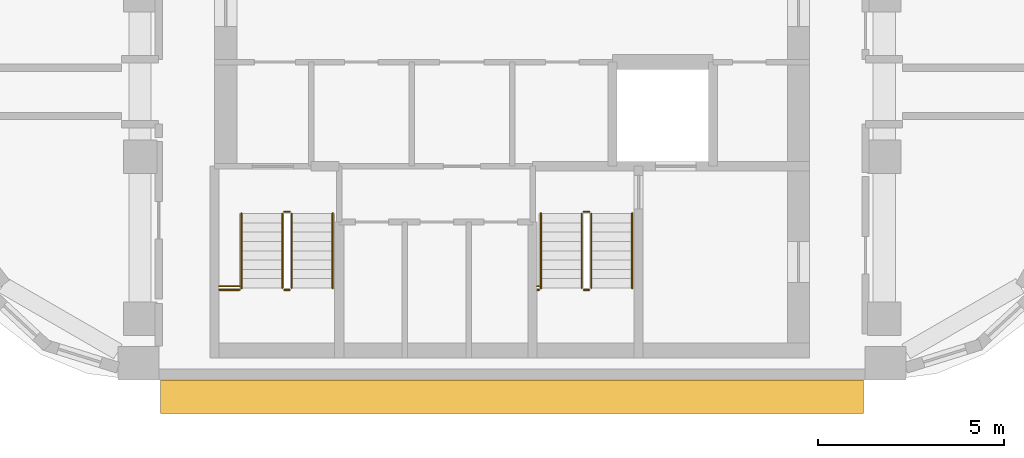
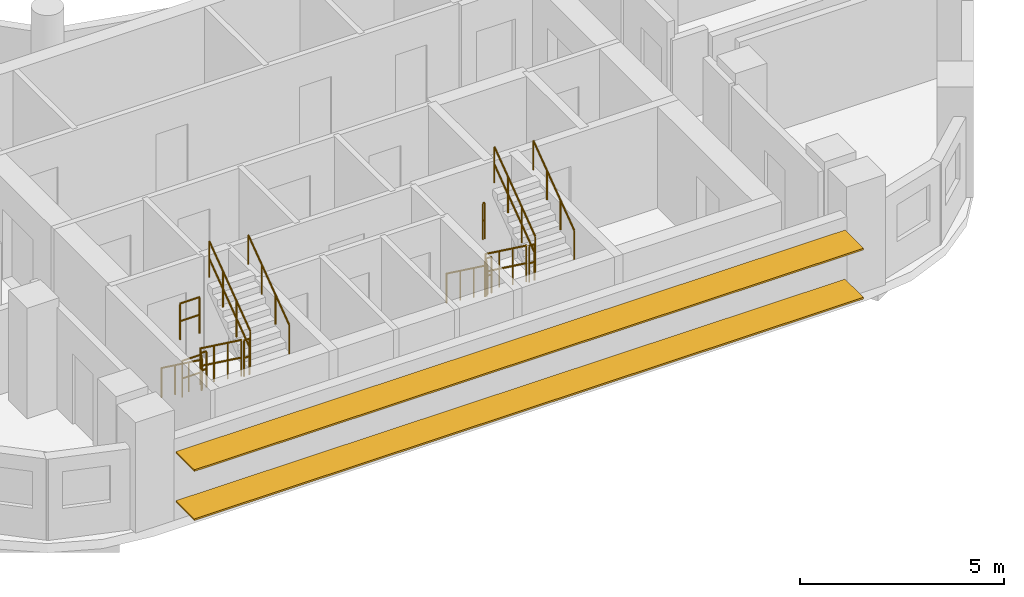
# One storey, part 10 of 12: 16 railings, 2 shading devices.
"""IFC4 building model written with IfcOpenShell, lengths in metres."""

from ifc_helpers import new_model, si_unit, direction, frame, origin, origin_2d, place, context, subcontext, project, spatial, rectangle, circle, extrude, material, material_profile, profile_set, type_object, element, save


model = new_model("IFC4")

# Units and contexts
model_context = context("Model", 3, precision=1e-05, world=origin(), true_north=direction((0.0, 1.0)))
body_context = subcontext(model_context, "Body", "Model", "MODEL_VIEW")
ifc_project = project(units=[si_unit("LENGTHUNIT", "METRE"), si_unit("AREAUNIT", "SQUARE_METRE"), si_unit("VOLUMEUNIT", "CUBIC_METRE"), si_unit("PLANEANGLEUNIT", "RADIAN"), si_unit("MASSUNIT", "GRAM", prefix="KILO")], contexts=[model_context])

# Site, building, storey
site_placement = place(None, origin())
site = spatial("IfcSite", under=ifc_project, at=site_placement, CompositionType="ELEMENT")
building_placement = place(site_placement, origin())
building = spatial("IfcBuilding", under=site, at=building_placement, Name="Nakaniwa Court", CompositionType="ELEMENT")
storey_placement = place(building_placement, frame((0.0, 0.0, 249.300048828125)))
storey = spatial("IfcBuildingStorey", under=building, at=storey_placement, Name="L65", CompositionType="ELEMENT", Elevation=249.300048828125)

# Shading devices
ifc_material_1 = material(Name="Perforated charcoal ceramic louvre blade")
ifc_material_profile = material_profile(ifc_material_1, rectangle(XDim=0.89990234375, YDim=0.050048828125, at=origin_2d()), Name="Perforated ceramic louvre blade")
ifc_profile_set = profile_set([ifc_material_profile], Name="Perforated charcoal ceramic louvre blade")
shading_device_type = type_object("IfcShadingDeviceType", Name="Perforated ceramic louvre blade", PredefinedType="JALOUSIE", material=ifc_profile_set)
for number, where, z_axis, x_axis, name in (
    (1, (70.55078125, 56.89990234375, 0.550048828125), (1.0, 0.0, 0.0), (0.0, 1.0, 0.0), "L65 perforated ceramic louvre blade w26 1"),
    (2, (70.55078125, 56.89990234375, 2.014892578125), (1.0, 0.0, 0.0), (0.0, 1.0, 0.0), "L65 perforated ceramic louvre blade w26 2"),
):
    element("IfcShadingDevice", number, at=place(storey_placement, frame(where, z_axis=z_axis, x_axis=x_axis)), inside=storey, type_object=shading_device_type, Name=name, PredefinedType="JALOUSIE", context=body_context, shape_type="SweptSolid", body=[
        extrude(rectangle(XDim=0.89990234375, YDim=0.050048828125, at=origin_2d()), origin(), (0.0, 0.0, 1.0), 18.892822265625),
    ])

# Railings
ifc_material_2 = material(Name="Black powder coated steel guard", Category="steel")
railing_type_1 = type_object("IfcRailingType", Name="Stair guard 1100", PredefinedType="GUARDRAIL", material=ifc_material_2)
railing_1_placement = place(storey_placement, frame((73.824951171875, 61.824951171875, 0.183349609375)))
element("IfcRailing", 3, at=railing_1_placement, inside=storey, type_object=railing_type_1, Name="L65 ST3 stair guard 1", PredefinedType="GUARDRAIL", context=body_context, shape_type="SweptSolid", body=[
    extrude(circle(Radius=0.02392578125, at=origin_2d()), frame((0.0, 0.0, 1.076171875), z_axis=(0.0, -0.806426902644, 0.591333789573), x_axis=(1.0, 0.0, 0.0)), (0.0, 0.0, 1.0), 2.47998046875),
    extrude(circle(Radius=0.02392578125, at=origin_2d()), frame((0.0, 0.0, 0.550048828125), z_axis=(0.0, -0.806426902644, 0.591333789573), x_axis=(1.0, 0.0, 0.0)), (0.0, 0.0, 1.0), 2.47998046875),
    extrude(circle(Radius=0.02099609375, at=origin_2d()), origin(), (0.0, 0.0, 1.0), 1.052001953125),
    extrude(circle(Radius=0.02099609375, at=origin_2d()), frame((0.0, -0.666748046875, 0.48876953125)), (0.0, 0.0, 1.0), 1.052001953125),
    extrude(circle(Radius=0.02099609375, at=origin_2d()), frame((0.0, -1.333251953125, 0.977783203125)), (0.0, 0.0, 1.0), 1.052001953125),
    extrude(circle(Radius=0.02099609375, at=origin_2d()), frame((0.0, -2.0, 1.466552734375)), (0.0, 0.0, 1.0), 1.052001953125),
])
railing_2_placement = place(storey_placement, frame((73.875, 59.77490234375, 1.64990234375)))
element("IfcRailing", 4, at=railing_2_placement, inside=storey, type_object=railing_type_1, Name="L65 ST3 stair guard 2", PredefinedType="GUARDRAIL", context=body_context, shape_type="SweptSolid", body=[
    extrude(circle(Radius=0.02392578125, at=origin_2d()), frame((0.0, 0.0, 1.076171875), z_axis=(1.0, 0.0, 0.0), x_axis=(0.0, 1.0, 0.0)), (0.0, 0.0, 1.0), 0.14990234375),
    extrude(circle(Radius=0.02392578125, at=origin_2d()), frame((0.0, 0.0, 0.550048828125), z_axis=(1.0, 0.0, 0.0), x_axis=(0.0, 1.0, 0.0)), (0.0, 0.0, 1.0), 0.14990234375),
    extrude(circle(Radius=0.02099609375, at=origin_2d()), origin(), (0.0, 0.0, 1.0), 1.052001953125),
    extrude(circle(Radius=0.02099609375, at=origin_2d()), frame((0.14990234375, 0.0, 0.0)), (0.0, 0.0, 1.0), 1.052001953125),
])
railing_3_placement = place(storey_placement, frame((74.074951171875, 59.824951171875, 1.833251953125)))
element("IfcRailing", 5, at=railing_3_placement, inside=storey, type_object=railing_type_1, Name="L65 ST3 stair guard 3", PredefinedType="GUARDRAIL", context=body_context, shape_type="SweptSolid", body=[
    extrude(circle(Radius=0.02392578125, at=origin_2d()), frame((0.0, 0.0, 1.076171875), z_axis=(0.0, 0.806379959628, 0.591397802423), x_axis=(-1.0, 0.0, 0.0)), (0.0, 0.0, 1.0), 2.480224609375),
    extrude(circle(Radius=0.02392578125, at=origin_2d()), frame((0.0, 0.0, 0.550048828125), z_axis=(0.0, 0.806379959628, 0.591397802423), x_axis=(-1.0, 0.0, 0.0)), (0.0, 0.0, 1.0), 2.480224609375),
    extrude(circle(Radius=0.02099609375, at=origin_2d()), origin(), (0.0, 0.0, 1.0), 1.052001953125),
    extrude(circle(Radius=0.02099609375, at=origin_2d()), frame((0.0, 0.666748046875, 0.489013671875)), (0.0, 0.0, 1.0), 1.052001953125),
    extrude(circle(Radius=0.02099609375, at=origin_2d()), frame((0.0, 1.333251953125, 0.977783203125)), (0.0, 0.0, 1.0), 1.052001953125),
    extrude(circle(Radius=0.02099609375, at=origin_2d()), frame((0.0, 2.0, 1.466796875)), (0.0, 0.0, 1.0), 1.052001953125),
])
railing_4_placement = place(storey_placement, frame((73.875, 61.875, 0.0)))
element("IfcRailing", 6, at=railing_4_placement, inside=storey, type_object=railing_type_1, Name="L65 ST3 stair guard 4", PredefinedType="GUARDRAIL", context=body_context, shape_type="SweptSolid", body=[
    extrude(circle(Radius=0.02392578125, at=origin_2d()), frame((0.0, 0.0, 1.076171875), z_axis=(1.0, 0.0, 0.0), x_axis=(0.0, 1.0, 0.0)), (0.0, 0.0, 1.0), 0.14990234375),
    extrude(circle(Radius=0.02392578125, at=origin_2d()), frame((0.0, 0.0, 0.550048828125), z_axis=(1.0, 0.0, 0.0), x_axis=(0.0, 1.0, 0.0)), (0.0, 0.0, 1.0), 0.14990234375),
    extrude(circle(Radius=0.02099609375, at=origin_2d()), origin(), (0.0, 0.0, 1.0), 1.052001953125),
    extrude(circle(Radius=0.02099609375, at=origin_2d()), frame((0.14990234375, 0.0, 0.0)), (0.0, 0.0, 1.0), 1.052001953125),
])
for number, where, name in (
    (7, (72.125, 59.77490234375, 1.64990234375), "L65 ST3 landing side guard 1W"),
    (8, (72.125, 59.875, 3.300048828125), "L65 ST3 floor edge guard 1W"),
):
    element("IfcRailing", number, at=place(storey_placement, frame(where)), inside=storey, type_object=railing_type_1, Name=name, PredefinedType="GUARDRAIL", context=body_context, shape_type="SweptSolid", body=[
        extrude(circle(Radius=0.02392578125, at=origin_2d()), frame((0.0, 0.0, 1.076171875), z_axis=(1.0, 0.0, 0.0), x_axis=(0.0, 1.0, 0.0)), (0.0, 0.0, 1.0), 0.550048828125),
        extrude(circle(Radius=0.02392578125, at=origin_2d()), frame((0.0, 0.0, 0.550048828125), z_axis=(1.0, 0.0, 0.0), x_axis=(0.0, 1.0, 0.0)), (0.0, 0.0, 1.0), 0.550048828125),
        extrude(circle(Radius=0.02099609375, at=origin_2d()), origin(), (0.0, 0.0, 1.0), 1.052001953125),
        extrude(circle(Radius=0.02099609375, at=origin_2d()), frame((0.550048828125, 0.0, 0.0)), (0.0, 0.0, 1.0), 1.052001953125),
    ])
railing_5_placement = place(storey_placement, frame((81.875, 61.824951171875, 0.183349609375)))
element("IfcRailing", 9, at=railing_5_placement, inside=storey, type_object=railing_type_1, Name="L65 ST4 stair guard 1", PredefinedType="GUARDRAIL", context=body_context, shape_type="SweptSolid", body=[
    extrude(circle(Radius=0.02392578125, at=origin_2d()), frame((0.0, 0.0, 1.076171875), z_axis=(0.0, -0.806426902644, 0.591333789573), x_axis=(1.0, 0.0, 0.0)), (0.0, 0.0, 1.0), 2.47998046875),
    extrude(circle(Radius=0.02392578125, at=origin_2d()), frame((0.0, 0.0, 0.550048828125), z_axis=(0.0, -0.806426902644, 0.591333789573), x_axis=(1.0, 0.0, 0.0)), (0.0, 0.0, 1.0), 2.47998046875),
    extrude(circle(Radius=0.02099609375, at=origin_2d()), origin(), (0.0, 0.0, 1.0), 1.052001953125),
    extrude(circle(Radius=0.02099609375, at=origin_2d()), frame((0.0, -0.666748046875, 0.48876953125)), (0.0, 0.0, 1.0), 1.052001953125),
    extrude(circle(Radius=0.02099609375, at=origin_2d()), frame((0.0, -1.333251953125, 0.977783203125)), (0.0, 0.0, 1.0), 1.052001953125),
    extrude(circle(Radius=0.02099609375, at=origin_2d()), frame((0.0, -2.0, 1.466552734375)), (0.0, 0.0, 1.0), 1.052001953125),
])
railing_6_placement = place(storey_placement, frame((81.925048828125, 59.77490234375, 1.64990234375)))
element("IfcRailing", 10, at=railing_6_placement, inside=storey, type_object=railing_type_1, Name="L65 ST4 stair guard 2", PredefinedType="GUARDRAIL", context=body_context, shape_type="SweptSolid", body=[
    extrude(circle(Radius=0.02392578125, at=origin_2d()), frame((0.0, 0.0, 1.076171875), z_axis=(1.0, 0.0, 0.0), x_axis=(0.0, 1.0, 0.0)), (0.0, 0.0, 1.0), 0.14990234375),
    extrude(circle(Radius=0.02392578125, at=origin_2d()), frame((0.0, 0.0, 0.550048828125), z_axis=(1.0, 0.0, 0.0), x_axis=(0.0, 1.0, 0.0)), (0.0, 0.0, 1.0), 0.14990234375),
    extrude(circle(Radius=0.02099609375, at=origin_2d()), origin(), (0.0, 0.0, 1.0), 1.052001953125),
    extrude(circle(Radius=0.02099609375, at=origin_2d()), frame((0.14990234375, 0.0, 0.0)), (0.0, 0.0, 1.0), 1.052001953125),
])
railing_7_placement = place(storey_placement, frame((82.125, 59.824951171875, 1.833251953125)))
element("IfcRailing", 11, at=railing_7_placement, inside=storey, type_object=railing_type_1, Name="L65 ST4 stair guard 3", PredefinedType="GUARDRAIL", context=body_context, shape_type="SweptSolid", body=[
    extrude(circle(Radius=0.02392578125, at=origin_2d()), frame((0.0, 0.0, 1.076171875), z_axis=(0.0, 0.806379959628, 0.591397802423), x_axis=(-1.0, 0.0, 0.0)), (0.0, 0.0, 1.0), 2.480224609375),
    extrude(circle(Radius=0.02392578125, at=origin_2d()), frame((0.0, 0.0, 0.550048828125), z_axis=(0.0, 0.806379959628, 0.591397802423), x_axis=(-1.0, 0.0, 0.0)), (0.0, 0.0, 1.0), 2.480224609375),
    extrude(circle(Radius=0.02099609375, at=origin_2d()), origin(), (0.0, 0.0, 1.0), 1.052001953125),
    extrude(circle(Radius=0.02099609375, at=origin_2d()), frame((0.0, 0.666748046875, 0.489013671875)), (0.0, 0.0, 1.0), 1.052001953125),
    extrude(circle(Radius=0.02099609375, at=origin_2d()), frame((0.0, 1.333251953125, 0.977783203125)), (0.0, 0.0, 1.0), 1.052001953125),
    extrude(circle(Radius=0.02099609375, at=origin_2d()), frame((0.0, 2.0, 1.466796875)), (0.0, 0.0, 1.0), 1.052001953125),
])
railing_8_placement = place(storey_placement, frame((81.925048828125, 61.875, 0.0)))
element("IfcRailing", 12, at=railing_8_placement, inside=storey, type_object=railing_type_1, Name="L65 ST4 stair guard 4", PredefinedType="GUARDRAIL", context=body_context, shape_type="SweptSolid", body=[
    extrude(circle(Radius=0.02392578125, at=origin_2d()), frame((0.0, 0.0, 1.076171875), z_axis=(1.0, 0.0, 0.0), x_axis=(0.0, 1.0, 0.0)), (0.0, 0.0, 1.0), 0.14990234375),
    extrude(circle(Radius=0.02392578125, at=origin_2d()), frame((0.0, 0.0, 0.550048828125), z_axis=(1.0, 0.0, 0.0), x_axis=(0.0, 1.0, 0.0)), (0.0, 0.0, 1.0), 0.14990234375),
    extrude(circle(Radius=0.02099609375, at=origin_2d()), origin(), (0.0, 0.0, 1.0), 1.052001953125),
    extrude(circle(Radius=0.02099609375, at=origin_2d()), frame((0.14990234375, 0.0, 0.0)), (0.0, 0.0, 1.0), 1.052001953125),
])
for number, where, name in (
    (13, (80.675048828125, 59.77490234375, 1.64990234375), "L65 ST4 landing side guard 1W"),
    (14, (80.675048828125, 59.875, 3.300048828125), "L65 ST4 floor edge guard 1W"),
):
    element("IfcRailing", number, at=place(storey_placement, frame(where)), inside=storey, type_object=railing_type_1, Name=name, PredefinedType="GUARDRAIL", context=body_context, shape_type="SweptSolid", body=[
        extrude(circle(Radius=0.02392578125, at=origin_2d()), frame((0.0, 0.0, 1.076171875), z_axis=(1.0, 0.0, 0.0), x_axis=(0.0, 1.0, 0.0)), (0.0, 0.0, 1.0), 0.050048828125),
        extrude(circle(Radius=0.02392578125, at=origin_2d()), frame((0.0, 0.0, 0.550048828125), z_axis=(1.0, 0.0, 0.0), x_axis=(0.0, 1.0, 0.0)), (0.0, 0.0, 1.0), 0.050048828125),
        extrude(circle(Radius=0.02099609375, at=origin_2d()), origin(), (0.0, 0.0, 1.0), 1.052001953125),
        extrude(circle(Radius=0.02099609375, at=origin_2d()), frame((0.050048828125, 0.0, 0.0)), (0.0, 0.0, 1.0), 1.052001953125),
    ])
ifc_material_3 = material(Name="Black powder coated steel handrail", Category="steel")
railing_type_2 = type_object("IfcRailingType", Name="Stair handrail 900", PredefinedType="HANDRAIL", material=ifc_material_3)
railing_9_placement = place(storey_placement, frame((72.72509765625, 61.824951171875, 0.183349609375)))
element("IfcRailing", 15, at=railing_9_placement, inside=storey, type_object=railing_type_2, Name="L65 ST3 stair handrail 1", PredefinedType="HANDRAIL", context=body_context, shape_type="SweptSolid", body=[
    extrude(circle(Radius=0.02392578125, at=origin_2d()), frame((0.0, 0.0, 0.8759765625), z_axis=(0.0, -0.806426902644, 0.591333789573), x_axis=(1.0, 0.0, 0.0)), (0.0, 0.0, 1.0), 2.47998046875),
    extrude(circle(Radius=0.02099609375, at=origin_2d()), origin(), (0.0, 0.0, 1.0), 0.851806640625),
    extrude(circle(Radius=0.02099609375, at=origin_2d()), frame((0.0, -0.666748046875, 0.48876953125)), (0.0, 0.0, 1.0), 0.851806640625),
    extrude(circle(Radius=0.02099609375, at=origin_2d()), frame((0.0, -1.333251953125, 0.977783203125)), (0.0, 0.0, 1.0), 0.851806640625),
    extrude(circle(Radius=0.02099609375, at=origin_2d()), frame((0.0, -2.0, 1.466552734375)), (0.0, 0.0, 1.0), 0.851806640625),
])
railing_10_placement = place(storey_placement, frame((75.175048828125, 59.824951171875, 1.833251953125)))
element("IfcRailing", 16, at=railing_10_placement, inside=storey, type_object=railing_type_2, Name="L65 ST3 stair handrail 2", PredefinedType="HANDRAIL", context=body_context, shape_type="SweptSolid", body=[
    extrude(circle(Radius=0.02392578125, at=origin_2d()), frame((0.0, 0.0, 0.8759765625), z_axis=(0.0, 0.806379959628, 0.591397802423), x_axis=(-1.0, 0.0, 0.0)), (0.0, 0.0, 1.0), 2.480224609375),
    extrude(circle(Radius=0.02099609375, at=origin_2d()), origin(), (0.0, 0.0, 1.0), 0.851806640625),
    extrude(circle(Radius=0.02099609375, at=origin_2d()), frame((0.0, 0.666748046875, 0.489013671875)), (0.0, 0.0, 1.0), 0.851806640625),
    extrude(circle(Radius=0.02099609375, at=origin_2d()), frame((0.0, 1.333251953125, 0.977783203125)), (0.0, 0.0, 1.0), 0.851806640625),
    extrude(circle(Radius=0.02099609375, at=origin_2d()), frame((0.0, 2.0, 1.466796875)), (0.0, 0.0, 1.0), 0.851806640625),
])
railing_11_placement = place(storey_placement, frame((80.77490234375, 61.824951171875, 0.183349609375)))
element("IfcRailing", 17, at=railing_11_placement, inside=storey, type_object=railing_type_2, Name="L65 ST4 stair handrail 1", PredefinedType="HANDRAIL", context=body_context, shape_type="SweptSolid", body=[
    extrude(circle(Radius=0.02392578125, at=origin_2d()), frame((0.0, 0.0, 0.8759765625), z_axis=(0.0, -0.806426902644, 0.591333789573), x_axis=(1.0, 0.0, 0.0)), (0.0, 0.0, 1.0), 2.47998046875),
    extrude(circle(Radius=0.02099609375, at=origin_2d()), origin(), (0.0, 0.0, 1.0), 0.851806640625),
    extrude(circle(Radius=0.02099609375, at=origin_2d()), frame((0.0, -0.666748046875, 0.48876953125)), (0.0, 0.0, 1.0), 0.851806640625),
    extrude(circle(Radius=0.02099609375, at=origin_2d()), frame((0.0, -1.333251953125, 0.977783203125)), (0.0, 0.0, 1.0), 0.851806640625),
    extrude(circle(Radius=0.02099609375, at=origin_2d()), frame((0.0, -2.0, 1.466552734375)), (0.0, 0.0, 1.0), 0.851806640625),
])
railing_12_placement = place(storey_placement, frame((83.22509765625, 59.824951171875, 1.833251953125)))
element("IfcRailing", 18, at=railing_12_placement, inside=storey, type_object=railing_type_2, Name="L65 ST4 stair handrail 2", PredefinedType="HANDRAIL", context=body_context, shape_type="SweptSolid", body=[
    extrude(circle(Radius=0.02392578125, at=origin_2d()), frame((0.0, 0.0, 0.8759765625), z_axis=(0.0, 0.806379959628, 0.591397802423), x_axis=(-1.0, 0.0, 0.0)), (0.0, 0.0, 1.0), 2.480224609375),
    extrude(circle(Radius=0.02099609375, at=origin_2d()), origin(), (0.0, 0.0, 1.0), 0.851806640625),
    extrude(circle(Radius=0.02099609375, at=origin_2d()), frame((0.0, 0.666748046875, 0.489013671875)), (0.0, 0.0, 1.0), 0.851806640625),
    extrude(circle(Radius=0.02099609375, at=origin_2d()), frame((0.0, 1.333251953125, 0.977783203125)), (0.0, 0.0, 1.0), 0.851806640625),
    extrude(circle(Radius=0.02099609375, at=origin_2d()), frame((0.0, 2.0, 1.466796875)), (0.0, 0.0, 1.0), 0.851806640625),
])

save(model, "model.ifc")
